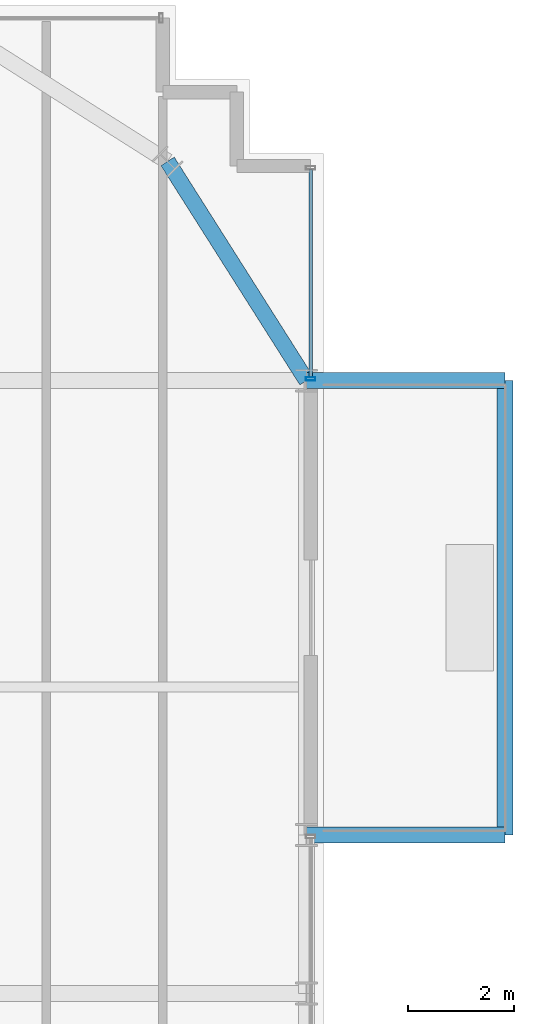
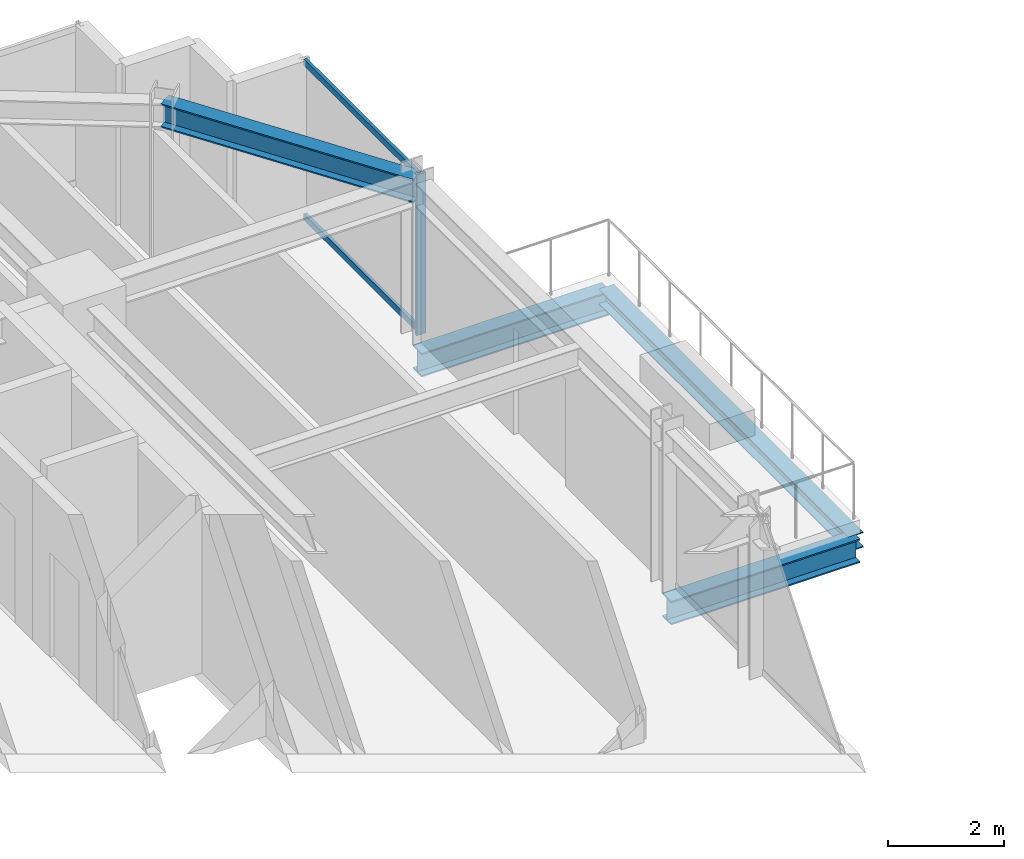
# One storey, part 24 of 33: 4 beams, 3 members, 1 element without a shape of its own.
"""IFC4 building model written with IfcOpenShell, lengths in metres."""

from ifc_helpers import new_model, si_unit, direction, frame, origin, origin_2d, place, context, subcontext, project, spatial, hollow_rectangle, i_section, extrude, source, transform, mapped, material, material_profile, profile_set, type_object, element, aggregate, save


model = new_model("IFC4")

# Units and contexts
model_context = context("Model", 3, precision=1e-05, world=origin(), true_north=direction((0.0, 1.0)))
body_context = subcontext(model_context, "Body", "Model", "MODEL_VIEW")
ifc_project = project(units=[si_unit("LENGTHUNIT", "METRE"), si_unit("AREAUNIT", "SQUARE_METRE"), si_unit("VOLUMEUNIT", "CUBIC_METRE"), si_unit("PLANEANGLEUNIT", "RADIAN"), si_unit("MASSUNIT", "GRAM", prefix="KILO")], contexts=[model_context])

# Site, building, storey
site_placement = place(None, origin())
site = spatial("IfcSite", under=ifc_project, at=site_placement, CompositionType="ELEMENT")
building_placement = place(site_placement, origin())
building = spatial("IfcBuilding", under=site, at=building_placement, Name="Nahalor Promenade Grand Hotel", CompositionType="ELEMENT")
storey_placement = place(building_placement, frame((0.0, 0.0, 117.5)))
storey = spatial("IfcBuildingStorey", under=building, at=storey_placement, Name="L29", CompositionType="ELEMENT", Elevation=117.5)

# Beams
ifc_material_1 = material(Name="Steel S355JR", Category="steel")
ifc_material_profile_1 = material_profile(ifc_material_1, i_section(OverallWidth=0.3, OverallDepth=0.32, WebThickness=0.0115, FlangeThickness=0.0205, at=origin_2d()), Name="HEB 320")
ifc_profile_set_1 = profile_set([ifc_material_profile_1], Name="Steel S355JR")
beam_type_1 = type_object("IfcBeamType", Name="Beam-BalcEdge-HEB320", PredefinedType="SPANDREL", material=ifc_profile_set_1)
shared_shape_1 = source(origin(), body_context, "Body", "SweptSolid", [
    extrude(i_section(OverallWidth=0.3, OverallDepth=0.32, WebThickness=0.0115, FlangeThickness=0.0205, at=origin_2d()), origin(), (0.0, 0.0, 1.0), 8.60009765625),
])
beam_1_placement = place(storey_placement, frame((27.5400390625, 8.39990234375, -0.43994140625), z_axis=(0.0, 1.0, 0.0), x_axis=(-1.0, 0.0, 0.0)))
element("IfcBeam", 1, at=beam_1_placement, inside=storey, type_object=beam_type_1, Name="BM-L29-BC-02-F", PredefinedType="SPANDREL", context=body_context, shape_type="MappedRepresentation", body=[
    mapped(shared_shape_1, transform((0.0, 0.0, 0.0), scale=1.0)),
])
ifc_material_profile_2 = material_profile(ifc_material_1, i_section(OverallWidth=0.3, OverallDepth=0.5, WebThickness=0.0145, FlangeThickness=0.028, at=origin_2d()), Name="HEB 500")
ifc_profile_set_2 = profile_set([ifc_material_profile_2], Name="Steel S355JR")
beam_type_2 = type_object("IfcBeamType", Name="Beam-Outrigger-HEB500", PredefinedType="BEAM", material=ifc_profile_set_2)
shared_shape_2 = source(origin(), body_context, "Body", "SweptSolid", [
    extrude(i_section(OverallWidth=0.3, OverallDepth=0.5, WebThickness=0.0145, FlangeThickness=0.028, at=origin_2d()), origin(), (0.0, 0.0, 1.0), 3.760009765625),
])
for number, where, z_axis, x_axis, name in (
    (2, (23.780029296875, 8.39990234375, -0.530029296875), (1.0, 0.0, 0.0), (0.0, 1.0, 0.0), "BM-L29-BC-02-1"),
    (3, (23.780029296875, 17.0, -0.530029296875), (1.0, 0.0, 0.0), (0.0, 1.0, 0.0), "BM-L29-BC-02-2"),
):
    element("IfcBeam", number, at=place(storey_placement, frame(where, z_axis=z_axis, x_axis=x_axis)), inside=storey, type_object=beam_type_2, Name=name, PredefinedType="BEAM", context=body_context, shape_type="MappedRepresentation", body=[
        mapped(shared_shape_2, transform((0.0, 0.0, 0.0), scale=1.0)),
    ])
ifc_material_profile_3 = material_profile(ifc_material_1, i_section(OverallWidth=0.3, OverallDepth=0.5, WebThickness=0.0145, FlangeThickness=0.028, at=origin_2d()), Name="HEB 500")
ifc_profile_set_3 = profile_set([ifc_material_profile_3], Name="Steel S355JR")
beam_type_3 = type_object("IfcBeamType", Name="Beam-Spandrel-HEB500", PredefinedType="SPANDREL", material=ifc_profile_set_3)
shared_shape_3 = source(origin(), body_context, "Body", "SweptSolid", [
    extrude(i_section(OverallWidth=0.3, OverallDepth=0.5, WebThickness=0.0145, FlangeThickness=0.028, at=origin_2d()), origin(), (0.0, 0.0, 1.0), 4.9130859375),
])
beam_2_placement = place(storey_placement, frame((21.14990234375, 21.14990234375, 3.1298828125), z_axis=(0.535321591403, -0.844648325505, 0.0), x_axis=(0.844648325505, 0.535321591403, 0.0)))
element("IfcBeam", 4, at=beam_2_placement, inside=storey, type_object=beam_type_3, Name="BM-L29-SPC-NE-2", PredefinedType="SPANDREL", context=body_context, shape_type="MappedRepresentation", body=[
    mapped(shared_shape_3, transform((0.0, 0.0, 0.0), scale=1.0)),
])

# Curtain wall, members
ifc_material_2 = material(Name="Anodised Bronze Aluminium EN AW-6063 T6", Category="aluminium")
curtain_wall_type = type_object("IfcCurtainWallType", Name="CW2 Typical Hotel Flush Bronze Unitised Curtain Wall", PredefinedType="USERDEFINED", material=ifc_material_2)
curtain_wall_placement = place(storey_placement, origin())
curtain_wall = element("IfcCurtainWall", 5, at=curtain_wall_placement, inside=storey, type_object=curtain_wall_type, Name="L29 Curtain Wall CW-L29-E-3", ObjectType="UNITISED_CURTAIN_WALL", PredefinedType="USERDEFINED")
ifc_material_profile_4 = material_profile(ifc_material_2, hollow_rectangle(XDim=0.065, YDim=0.18, WallThickness=0.004, at=origin_2d()), Name="CWM 65x180x4")
ifc_profile_set_4 = profile_set([ifc_material_profile_4], Name="Anodised Bronze Aluminium EN AW-6063 T6")
member_type_1 = type_object("IfcMemberType", Name="CWM2 Typical Bronze Mullion 65x180", PredefinedType="MULLION", material=ifc_profile_set_4)
shared_shape_4 = source(origin(), body_context, "Body", "SweptSolid", [
    extrude(hollow_rectangle(XDim=0.065, YDim=0.18, WallThickness=0.004, at=origin_2d()), origin(), (0.0, 0.0, 1.0), 3.3798828125),
])
member_1_placement = place(storey_placement, frame((23.860107421875, 17.032470703125, 0.0), z_axis=(0.0, 0.0, 1.0), x_axis=(0.0, 1.0, 0.0)))
member_1 = element("IfcMember", 6, at=member_1_placement, type_object=member_type_1, Name="CW-L29-E-3 Mullion 0", PredefinedType="MULLION", context=body_context, shape_type="MappedRepresentation", body=[
    mapped(shared_shape_4, transform((0.0, 0.0, 0.0), scale=1.0)),
])
ifc_material_profile_5 = material_profile(ifc_material_2, hollow_rectangle(XDim=0.065, YDim=0.13, WallThickness=0.004, at=origin_2d()), Name="CWT 65x130x4")
ifc_profile_set_5 = profile_set([ifc_material_profile_5], Name="Anodised Bronze Aluminium EN AW-6063 T6")
member_type_2 = type_object("IfcMemberType", Name="CWT2 Typical Bronze Transom 65x130", PredefinedType="USERDEFINED", material=ifc_profile_set_5)
shared_shape_5 = source(origin(), body_context, "Body", "SweptSolid", [
    extrude(hollow_rectangle(XDim=0.065, YDim=0.13, WallThickness=0.004, at=origin_2d()), origin(), (0.0, 0.0, 1.0), 3.93017578125),
])
member_2_placement = place(storey_placement, frame((23.860107421875, 17.06494140625, 0.06494140625), z_axis=(0.0, 1.0, 0.0), x_axis=(-1.0, 0.0, 0.0)))
member_2 = element("IfcMember", 7, at=member_2_placement, type_object=member_type_2, Name="CW-L29-E-3 Transom 0-0", ObjectType="TRANSOM", PredefinedType="USERDEFINED", context=body_context, shape_type="MappedRepresentation", body=[
    mapped(shared_shape_5, transform((0.0, 0.0, 0.0), scale=1.0)),
])
member_3_placement = place(storey_placement, frame((23.860107421875, 17.06494140625, 3.31494140625), z_axis=(0.0, 1.0, 0.0), x_axis=(-1.0, 0.0, 0.0)))
member_3 = element("IfcMember", 8, at=member_3_placement, type_object=member_type_2, Name="CW-L29-E-3 Transom 0-1", ObjectType="TRANSOM", PredefinedType="USERDEFINED", context=body_context, shape_type="MappedRepresentation", body=[
    mapped(shared_shape_5, transform((0.0, 0.0, 0.0), scale=1.0)),
])
aggregate(curtain_wall, [member_1, member_2, member_3])

save(model, "model.ifc")
